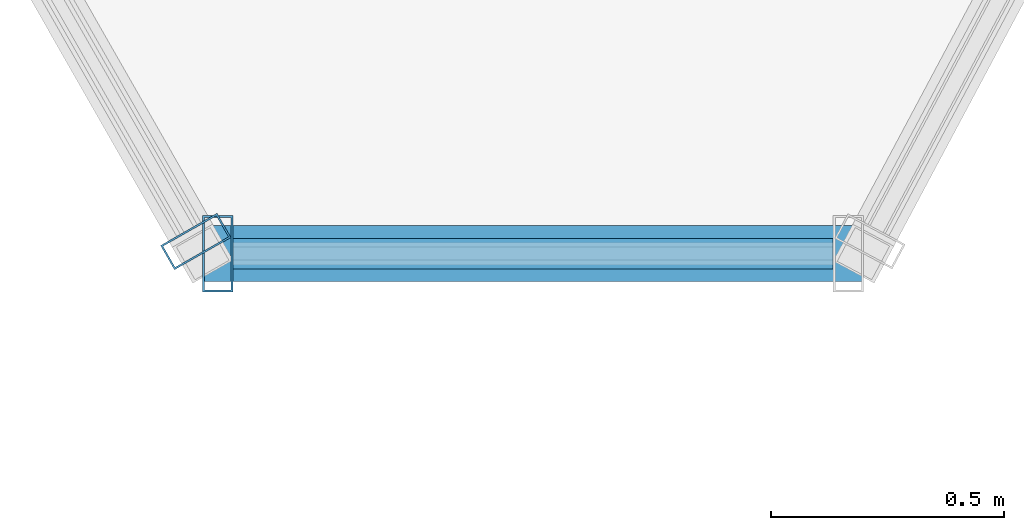
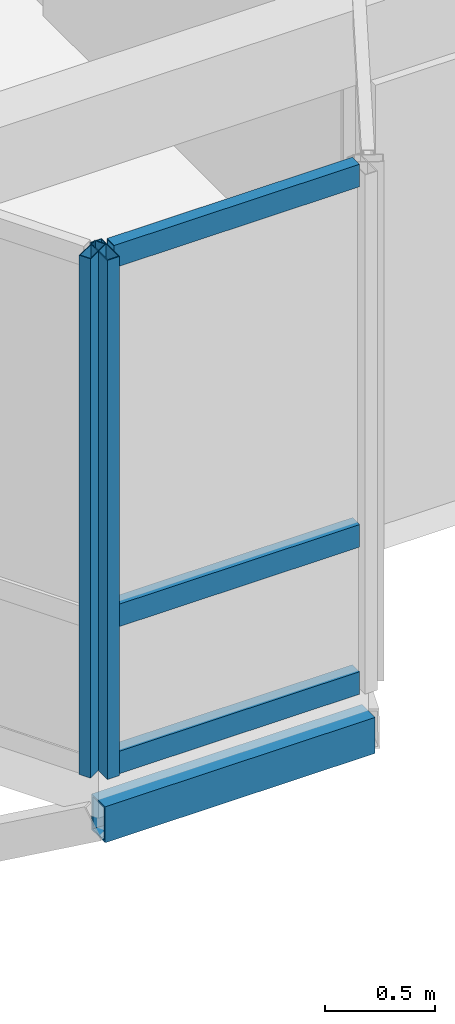
# One storey, part 33 of 77: 6 members, 2 elements without a shape of their own.
"""IFC4 building model written with IfcOpenShell, lengths in metres."""

from ifc_helpers import new_model, si_unit, direction, frame, origin, origin_2d, place, context, subcontext, project, spatial, hollow_rectangle, extrude, material, layer, layer_set, material_profile, profile_set, type_object, element, aggregate, save


model = new_model("IFC4")

# Units and contexts
model_context = context("Model", 3, precision=1e-05, world=origin(), true_north=direction((0.0, 1.0)))
body_context = subcontext(model_context, "Body", "Model", "MODEL_VIEW")
ifc_project = project(units=[si_unit("LENGTHUNIT", "METRE"), si_unit("AREAUNIT", "SQUARE_METRE"), si_unit("VOLUMEUNIT", "CUBIC_METRE"), si_unit("PLANEANGLEUNIT", "RADIAN"), si_unit("MASSUNIT", "GRAM", prefix="KILO"), si_unit("THERMODYNAMICTEMPERATUREUNIT", "KELVIN"), si_unit("POWERUNIT", "WATT")], contexts=[model_context])

# Site, building, storey
site_placement = place(None, origin())
site = spatial("IfcSite", under=ifc_project, at=site_placement, CompositionType="ELEMENT")
building_placement = place(site_placement, origin())
building = spatial("IfcBuilding", under=site, at=building_placement, Name="Tavuni Mirador Residences", CompositionType="ELEMENT")
storey_placement = place(building_placement, frame((0.0, 0.0, 17.10009765625)))
storey = spatial("IfcBuildingStorey", under=building, at=storey_placement, Name="L05", CompositionType="ELEMENT", Elevation=17.10009765625)

# Curtain wall, member
ifc_material_1 = material(Name="Anodised aluminium", Category="aluminium")
ifc_layer_1 = layer(ifc_material_1, 0.1650390625, Name="Anodised aluminium", Category="aluminium")
ifc_layer_set_1 = layer_set([ifc_layer_1], Name="Anodised aluminium")
curtain_wall_type_1 = type_object("IfcCurtainWallType", Name="CWT-MIR-A", PredefinedType="NOTDEFINED", material=ifc_layer_set_1)
curtain_wall_1_placement = place(storey_placement, origin())
curtain_wall_1 = element("IfcCurtainWall", 1, at=curtain_wall_1_placement, inside=storey, type_object=curtain_wall_type_1, Name="CW-MIR-C-S2-L05-M1", PredefinedType="NOTDEFINED")
ifc_material_profile_1 = material_profile(ifc_material_1, hollow_rectangle(XDim=0.06005859375, YDim=0.139892578125, WallThickness=0.00390625, at=origin_2d()), Name="ALU 60x140x4.0", Category="aluminium")
ifc_profile_set_1 = profile_set([ifc_material_profile_1], Name="Anodised aluminium")
member_type_1 = type_object("IfcMemberType", Name="CWM-140", PredefinedType="MULLION", material=ifc_profile_set_1)
member_1_placement = place(storey_placement, frame((33.34521484375, 142.826171875, 0.0), z_axis=(0.0, 0.0, 1.0), x_axis=(0.495749192217, -0.868465738194, 0.0)))
member_1 = element("IfcMember", 2, at=member_1_placement, type_object=member_type_1, Name="CW-01 mullion 2", PredefinedType="MULLION", context=body_context, shape_type="SweptSolid", body=[
    extrude(hollow_rectangle(XDim=0.06005859375, YDim=0.139892578125, WallThickness=0.00390625, at=origin_2d()), origin(), (0.0, 0.0, 1.0), 2.885009765625),
])
aggregate(curtain_wall_1, [member_1])

# Curtain wall, members
ifc_layer_2 = layer(ifc_material_1, 0.14990234375, Name="Anodised aluminium", Category="aluminium")
ifc_layer_set_2 = layer_set([ifc_layer_2], Name="Anodised aluminium")
curtain_wall_type_2 = type_object("IfcCurtainWallType", Name="CWT-MIR-B", PredefinedType="NOTDEFINED", material=ifc_layer_set_2)
curtain_wall_2_placement = place(storey_placement, origin())
curtain_wall_2 = element("IfcCurtainWall", 3, at=curtain_wall_2_placement, inside=storey, type_object=curtain_wall_type_2, Name="CW-MIR-C-S2-L05-MF", PredefinedType="NOTDEFINED")
ifc_material_profile_2 = material_profile(ifc_material_1, hollow_rectangle(XDim=0.06494140625, YDim=0.1650390625, WallThickness=0.00439453125, at=origin_2d()), Name="ALU 65x165x4.5", Category="aluminium")
ifc_profile_set_2 = profile_set([ifc_material_profile_2], Name="Anodised aluminium")
member_type_2 = type_object("IfcMemberType", Name="CWM-165", PredefinedType="MULLION", material=ifc_profile_set_2)
member_2_placement = place(storey_placement, frame((33.392578125, 142.800048828125, 0.0), z_axis=(0.0, 0.0, 1.0), x_axis=(1.0, 0.0, 0.0)))
member_2 = element("IfcMember", 4, at=member_2_placement, type_object=member_type_2, Name="CW-02 mullion 1", PredefinedType="MULLION", context=body_context, shape_type="SweptSolid", body=[
    extrude(hollow_rectangle(XDim=0.06494140625, YDim=0.1650390625, WallThickness=0.00439453125, at=origin_2d()), origin(), (0.0, 0.0, 1.0), 2.885009765625),
])
ifc_material_profile_3 = material_profile(ifc_material_1, hollow_rectangle(XDim=0.06494140625, YDim=0.125, WallThickness=0.00439453125, at=origin_2d()), Name="ALU 65x125x4.5", Category="aluminium")
ifc_profile_set_3 = profile_set([ifc_material_profile_3], Name="Anodised aluminium")
member_type_3 = type_object("IfcMemberType", Name="CWT-125", PredefinedType="USERDEFINED", material=ifc_profile_set_3)
member_3_placement = place(storey_placement, frame((33.425048828125, 142.800048828125, 0.032470703125), z_axis=(1.0, 0.0, 0.0), x_axis=(0.0, 1.0, 0.0)))
member_3 = element("IfcMember", 5, at=member_3_placement, type_object=member_type_3, Name="CW-02 transom 1.1", ObjectType="TRANSOM", PredefinedType="USERDEFINED", context=body_context, shape_type="SweptSolid", body=[
    extrude(hollow_rectangle(XDim=0.06494140625, YDim=0.125, WallThickness=0.00439453125, at=origin_2d()), origin(), (0.0, 0.0, 1.0), 1.2900390625),
])
member_4_placement = place(storey_placement, frame((33.425048828125, 142.800048828125, 0.849853515625), z_axis=(1.0, 0.0, 0.0), x_axis=(0.0, 1.0, 0.0)))
member_4 = element("IfcMember", 6, at=member_4_placement, type_object=member_type_3, Name="CW-02 transom 1.2", ObjectType="TRANSOM", PredefinedType="USERDEFINED", context=body_context, shape_type="SweptSolid", body=[
    extrude(hollow_rectangle(XDim=0.06494140625, YDim=0.125, WallThickness=0.00439453125, at=origin_2d()), origin(), (0.0, 0.0, 1.0), 1.2900390625),
])
member_5_placement = place(storey_placement, frame((33.425048828125, 142.800048828125, 2.852294921875), z_axis=(1.0, 0.0, 0.0), x_axis=(0.0, 1.0, 0.0)))
member_5 = element("IfcMember", 7, at=member_5_placement, type_object=member_type_3, Name="CW-02 transom 1.3", ObjectType="TRANSOM", PredefinedType="USERDEFINED", context=body_context, shape_type="SweptSolid", body=[
    extrude(hollow_rectangle(XDim=0.06494140625, YDim=0.125, WallThickness=0.00439453125, at=origin_2d()), origin(), (0.0, 0.0, 1.0), 1.2900390625),
])
aggregate(curtain_wall_2, [member_2, member_3, member_4, member_5])

# Member
ifc_material_2 = material(Name="Structural steel S355", Category="steel")
ifc_material_profile_4 = material_profile(ifc_material_2, hollow_rectangle(XDim=0.1201171875, YDim=0.199951171875, WallThickness=0.010009765625, at=origin_2d()), Name="RHS 200x120x10.0", Category="steel")
ifc_profile_set_4 = profile_set([ifc_material_profile_4], Name="Structural steel S355")
member_type_4 = type_object("IfcMemberType", Name="MT-ST-RHS200", PredefinedType="STRUT", material=ifc_profile_set_4)
member_6_placement = place(storey_placement, frame((33.360107421875, 142.800048828125, -0.26513671875), z_axis=(1.0, 0.0, 0.0), x_axis=(0.0, 1.0, 0.0)))
element("IfcMember", 8, at=member_6_placement, inside=storey, type_object=member_type_4, Name="MRIM-MIR-C-S2-L05", PredefinedType="STRUT", context=body_context, shape_type="SweptSolid", body=[
    extrude(hollow_rectangle(XDim=0.1201171875, YDim=0.199951171875, WallThickness=0.010009765625, at=origin_2d()), origin(), (0.0, 0.0, 1.0), 1.419921875),
])

save(model, "model.ifc")
